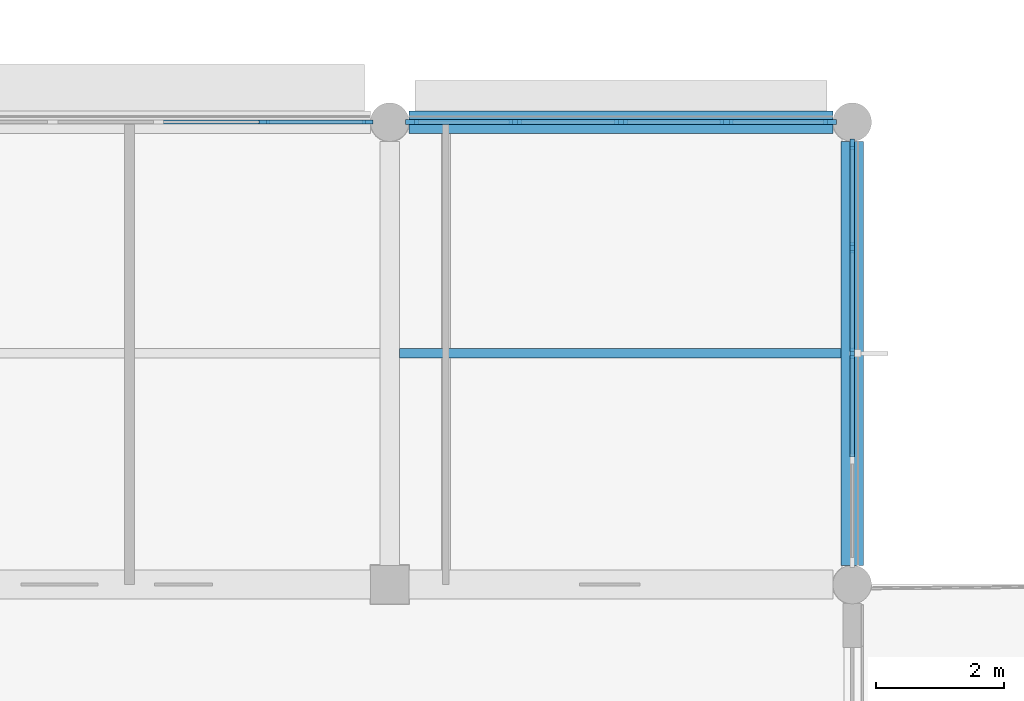
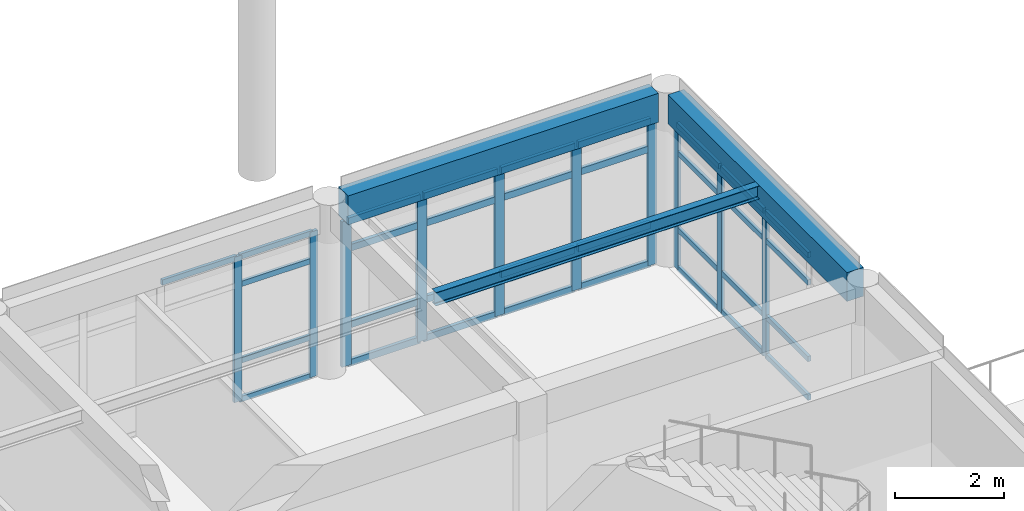
# One storey, part 12 of 41: 43 members, 3 beams, 3 elements without a shape of their own.
"""IFC4 building model written with IfcOpenShell, lengths in metres."""

from ifc_helpers import new_model, si_unit, direction, frame, origin, origin_2d, place, context, subcontext, project, spatial, rectangle, i_section, extrude, material, layer, layer_set, material_profile, profile_set, type_object, element, aggregate, save


model = new_model("IFC4")

# Units and contexts
model_context = context("Model", 3, precision=1e-05, world=origin(), true_north=direction((0.0, 1.0)))
body_context = subcontext(model_context, "Body", "Model", "MODEL_VIEW")
ifc_project = project(units=[si_unit("LENGTHUNIT", "METRE"), si_unit("AREAUNIT", "SQUARE_METRE"), si_unit("VOLUMEUNIT", "CUBIC_METRE"), si_unit("PLANEANGLEUNIT", "RADIAN"), si_unit("MASSUNIT", "GRAM", prefix="KILO")], contexts=[model_context])

# Site, building, storey
site_placement = place(None, origin())
site = spatial("IfcSite", under=ifc_project, at=site_placement, CompositionType="ELEMENT")
building_placement = place(site_placement, origin())
building = spatial("IfcBuilding", under=site, at=building_placement, Name="Namkhue Oval Health Centre", CompositionType="ELEMENT")
storey_placement = place(building_placement, frame((0.0, 0.0, 13.800048828125)))
storey = spatial("IfcBuildingStorey", under=building, at=storey_placement, Name="L03", CompositionType="ELEMENT", Elevation=13.800048828125)

# Curtain wall, members
ifc_material_1 = material(Name="Anodised aluminium EN AW-6063 T6", Category="aluminium")
ifc_layer_1 = layer(ifc_material_1, 0.159912109375)
ifc_layer_set_1 = layer_set([ifc_layer_1], Name="Anodised aluminium EN AW-6063 T6")
curtain_wall_type_1 = type_object("IfcCurtainWallType", Name="UNITISED CURTAIN WALL M1500", PredefinedType="NOTDEFINED", material=ifc_layer_set_1)
curtain_wall_1_placement = place(storey_placement, origin())
curtain_wall_1 = element("IfcCurtainWall", 1, at=curtain_wall_1_placement, inside=storey, type_object=curtain_wall_type_1, Name="Volume V3 L03 Unitised Curtain Wall 117", PredefinedType="NOTDEFINED")
ifc_material_profile_1 = material_profile(ifc_material_1, rectangle(XDim=0.06494140625, YDim=0.159912109375, at=origin_2d()), Name="ALU 65x160")
ifc_profile_set_1 = profile_set([ifc_material_profile_1], Name="Anodised aluminium EN AW-6063 T6")
member_type_1 = type_object("IfcMemberType", Name="CURTAIN WALL MULLION 65X160", PredefinedType="MULLION", material=ifc_profile_set_1)
member_1_placement = place(storey_placement, frame((122.39990234375, 100.800048828125, 0.0), z_axis=(0.0, 0.0, 1.0), x_axis=(-1.0, 0.0, 0.0)))
member_1 = element("IfcMember", 2, at=member_1_placement, type_object=member_type_1, Name="CW-03 mullion 3", PredefinedType="MULLION", context=body_context, shape_type="SweptSolid", body=[
    extrude(rectangle(XDim=0.06494140625, YDim=0.159912109375, at=origin_2d()), origin(), (0.0, 0.0, 1.0), 3.27001953125),
])
member_2_placement = place(storey_placement, frame((122.39990234375, 102.445068359375, 0.0), z_axis=(0.0, 0.0, 1.0), x_axis=(-1.0, 0.0, 0.0)))
member_2 = element("IfcMember", 3, at=member_2_placement, type_object=member_type_1, Name="CW-03 mullion 4", PredefinedType="MULLION", context=body_context, shape_type="SweptSolid", body=[
    extrude(rectangle(XDim=0.06494140625, YDim=0.159912109375, at=origin_2d()), origin(), (0.0, 0.0, 1.0), 3.27001953125),
])
member_3_placement = place(storey_placement, frame((122.39990234375, 104.0576171875, 0.0), z_axis=(0.0, 0.0, 1.0), x_axis=(-1.0, 0.0, 0.0)))
member_3 = element("IfcMember", 4, at=member_3_placement, type_object=member_type_1, Name="CW-03 mullion 5", PredefinedType="MULLION", context=body_context, shape_type="SweptSolid", body=[
    extrude(rectangle(XDim=0.06494140625, YDim=0.159912109375, at=origin_2d()), origin(), (0.0, 0.0, 1.0), 3.27001953125),
])

ifc_layer_2 = layer(ifc_material_1, 0.159912109375)
ifc_layer_set_2 = layer_set([ifc_layer_2], Name="Anodised aluminium EN AW-6063 T6")
curtain_wall_type_2 = type_object("IfcCurtainWallType", Name="UNITISED CURTAIN WALL M1800", PredefinedType="NOTDEFINED", material=ifc_layer_set_2)
curtain_wall_2_placement = place(storey_placement, origin())
curtain_wall_2 = element("IfcCurtainWall", 5, at=curtain_wall_2_placement, inside=storey, type_object=curtain_wall_type_2, Name="Volume V3 L03 Unitised Curtain Wall 119", PredefinedType="NOTDEFINED")
member_4_placement = place(storey_placement, frame((114.857421875, 104.39990234375, 0.0), z_axis=(0.0, 0.0, 1.0), x_axis=(0.0, -1.0, 0.0)))
member_4 = element("IfcMember", 6, at=member_4_placement, type_object=member_type_1, Name="CW-05 mullion 1", PredefinedType="MULLION", context=body_context, shape_type="SweptSolid", body=[
    extrude(rectangle(XDim=0.06494140625, YDim=0.159912109375, at=origin_2d()), origin(), (0.0, 0.0, 1.0), 3.27001953125),
])
member_5_placement = place(storey_placement, frame((113.2451171875, 104.39990234375, 0.0), z_axis=(0.0, 0.0, 1.0), x_axis=(0.0, -1.0, 0.0)))
member_5 = element("IfcMember", 7, at=member_5_placement, type_object=member_type_1, Name="CW-05 mullion 2", PredefinedType="MULLION", context=body_context, shape_type="SweptSolid", body=[
    extrude(rectangle(XDim=0.06494140625, YDim=0.159912109375, at=origin_2d()), origin(), (0.0, 0.0, 1.0), 3.27001953125),
])

ifc_layer_3 = layer(ifc_material_1, 0.159912109375)
ifc_layer_set_3 = layer_set([ifc_layer_3], Name="Anodised aluminium EN AW-6063 T6")
curtain_wall_type_3 = type_object("IfcCurtainWallType", Name="UNITISED CURTAIN WALL M1600", PredefinedType="NOTDEFINED", material=ifc_layer_set_3)
curtain_wall_3_placement = place(storey_placement, origin())
curtain_wall_3 = element("IfcCurtainWall", 8, at=curtain_wall_3_placement, inside=storey, type_object=curtain_wall_type_3, Name="Volume V3 L03 Unitised Curtain Wall 118", PredefinedType="NOTDEFINED")
ifc_material_profile_2 = material_profile(ifc_material_1, rectangle(XDim=0.074951171875, YDim=0.199951171875, at=origin_2d()), Name="ALU 75x200")
ifc_profile_set_2 = profile_set([ifc_material_profile_2], Name="Anodised aluminium EN AW-6063 T6")
member_type_2 = type_object("IfcMemberType", Name="CURTAIN WALL MULLION 75X200", PredefinedType="MULLION", material=ifc_profile_set_2)
member_6_placement = place(storey_placement, frame((122.052490234375, 104.39990234375, 0.0), z_axis=(0.0, 0.0, 1.0), x_axis=(0.0, -1.0, 0.0)))
member_6 = element("IfcMember", 9, at=member_6_placement, type_object=member_type_2, Name="CW-04 mullion 1", PredefinedType="MULLION", context=body_context, shape_type="SweptSolid", body=[
    extrude(rectangle(XDim=0.074951171875, YDim=0.199951171875, at=origin_2d()), origin(), (0.0, 0.0, 1.0), 3.27001953125),
])
member_7_placement = place(storey_placement, frame((120.445068359375, 104.39990234375, 0.0), z_axis=(0.0, 0.0, 1.0), x_axis=(0.0, -1.0, 0.0)))
member_7 = element("IfcMember", 10, at=member_7_placement, type_object=member_type_2, Name="CW-04 mullion 2", PredefinedType="MULLION", context=body_context, shape_type="SweptSolid", body=[
    extrude(rectangle(XDim=0.074951171875, YDim=0.199951171875, at=origin_2d()), origin(), (0.0, 0.0, 1.0), 3.27001953125),
])
member_8_placement = place(storey_placement, frame((118.800048828125, 104.39990234375, 0.0), z_axis=(0.0, 0.0, 1.0), x_axis=(0.0, -1.0, 0.0)))
member_8 = element("IfcMember", 11, at=member_8_placement, type_object=member_type_2, Name="CW-04 mullion 3", PredefinedType="MULLION", context=body_context, shape_type="SweptSolid", body=[
    extrude(rectangle(XDim=0.074951171875, YDim=0.199951171875, at=origin_2d()), origin(), (0.0, 0.0, 1.0), 3.27001953125),
])
member_9_placement = place(storey_placement, frame((117.155029296875, 104.39990234375, 0.0), z_axis=(0.0, 0.0, 1.0), x_axis=(0.0, -1.0, 0.0)))
member_9 = element("IfcMember", 12, at=member_9_placement, type_object=member_type_2, Name="CW-04 mullion 4", PredefinedType="MULLION", context=body_context, shape_type="SweptSolid", body=[
    extrude(rectangle(XDim=0.074951171875, YDim=0.199951171875, at=origin_2d()), origin(), (0.0, 0.0, 1.0), 3.27001953125),
])
member_10_placement = place(storey_placement, frame((115.547607421875, 104.39990234375, 0.0), z_axis=(0.0, 0.0, 1.0), x_axis=(0.0, -1.0, 0.0)))
member_10 = element("IfcMember", 13, at=member_10_placement, type_object=member_type_2, Name="CW-04 mullion 5", PredefinedType="MULLION", context=body_context, shape_type="SweptSolid", body=[
    extrude(rectangle(XDim=0.074951171875, YDim=0.199951171875, at=origin_2d()), origin(), (0.0, 0.0, 1.0), 3.27001953125),
])

# Member
ifc_material_profile_3 = material_profile(ifc_material_1, rectangle(XDim=0.06494140625, YDim=0.1201171875, at=origin_2d()), Name="ALU 65x120")
ifc_profile_set_3 = profile_set([ifc_material_profile_3], Name="Anodised aluminium EN AW-6063 T6")
member_type_3 = type_object("IfcMemberType", Name="CURTAIN WALL TRANSOM 65X120", PredefinedType="USERDEFINED", material=ifc_profile_set_3)
member_11_placement = place(storey_placement, frame((122.39990234375, 99.1875, 0.032470703125), z_axis=(0.0, 1.0, 0.0), x_axis=(-1.0, 0.0, 0.0)))
member_11 = element("IfcMember", 14, at=member_11_placement, type_object=member_type_3, Name="CW-03 transom 2.1", ObjectType="TRANSOM", PredefinedType="USERDEFINED", context=body_context, shape_type="SweptSolid", body=[
    extrude(rectangle(XDim=0.06494140625, YDim=0.1201171875, at=origin_2d()), origin(), (0.0, 0.0, 1.0), 1.580078125),
])

member_12_placement = place(storey_placement, frame((122.39990234375, 99.1875, 0.89990234375), z_axis=(0.0, 1.0, 0.0), x_axis=(-1.0, 0.0, 0.0)))
member_12 = element("IfcMember", 15, at=member_12_placement, type_object=member_type_3, Name="CW-03 transom 2.2", ObjectType="TRANSOM", PredefinedType="USERDEFINED", context=body_context, shape_type="SweptSolid", body=[
    extrude(rectangle(XDim=0.06494140625, YDim=0.1201171875, at=origin_2d()), origin(), (0.0, 0.0, 1.0), 1.580078125),
])

member_13_placement = place(storey_placement, frame((122.39990234375, 99.1875, 2.619873046875), z_axis=(0.0, 1.0, 0.0), x_axis=(-1.0, 0.0, 0.0)))
member_13 = element("IfcMember", 16, at=member_13_placement, type_object=member_type_3, Name="CW-03 transom 2.3", ObjectType="TRANSOM", PredefinedType="USERDEFINED", context=body_context, shape_type="SweptSolid", body=[
    extrude(rectangle(XDim=0.06494140625, YDim=0.1201171875, at=origin_2d()), origin(), (0.0, 0.0, 1.0), 1.580078125),
])

member_14_placement = place(storey_placement, frame((122.39990234375, 99.1875, 3.237548828125), z_axis=(0.0, 1.0, 0.0), x_axis=(-1.0, 0.0, 0.0)))
member_14 = element("IfcMember", 17, at=member_14_placement, type_object=member_type_3, Name="CW-03 transom 2.4", ObjectType="TRANSOM", PredefinedType="USERDEFINED", context=body_context, shape_type="SweptSolid", body=[
    extrude(rectangle(XDim=0.06494140625, YDim=0.1201171875, at=origin_2d()), origin(), (0.0, 0.0, 1.0), 1.580078125),
])

member_15_placement = place(storey_placement, frame((122.39990234375, 100.83251953125, 0.032470703125), z_axis=(0.0, 1.0, 0.0), x_axis=(-1.0, 0.0, 0.0)))
member_15 = element("IfcMember", 18, at=member_15_placement, type_object=member_type_3, Name="CW-03 transom 3.1", ObjectType="TRANSOM", PredefinedType="USERDEFINED", context=body_context, shape_type="SweptSolid", body=[
    extrude(rectangle(XDim=0.06494140625, YDim=0.1201171875, at=origin_2d()), origin(), (0.0, 0.0, 1.0), 1.580078125),
])

member_16_placement = place(storey_placement, frame((122.39990234375, 100.83251953125, 0.89990234375), z_axis=(0.0, 1.0, 0.0), x_axis=(-1.0, 0.0, 0.0)))
member_16 = element("IfcMember", 19, at=member_16_placement, type_object=member_type_3, Name="CW-03 transom 3.2", ObjectType="TRANSOM", PredefinedType="USERDEFINED", context=body_context, shape_type="SweptSolid", body=[
    extrude(rectangle(XDim=0.06494140625, YDim=0.1201171875, at=origin_2d()), origin(), (0.0, 0.0, 1.0), 1.580078125),
])

member_17_placement = place(storey_placement, frame((122.39990234375, 100.83251953125, 2.619873046875), z_axis=(0.0, 1.0, 0.0), x_axis=(-1.0, 0.0, 0.0)))
member_17 = element("IfcMember", 20, at=member_17_placement, type_object=member_type_3, Name="CW-03 transom 3.3", ObjectType="TRANSOM", PredefinedType="USERDEFINED", context=body_context, shape_type="SweptSolid", body=[
    extrude(rectangle(XDim=0.06494140625, YDim=0.1201171875, at=origin_2d()), origin(), (0.0, 0.0, 1.0), 1.580078125),
])

member_18_placement = place(storey_placement, frame((122.39990234375, 100.83251953125, 3.237548828125), z_axis=(0.0, 1.0, 0.0), x_axis=(-1.0, 0.0, 0.0)))
member_18 = element("IfcMember", 21, at=member_18_placement, type_object=member_type_3, Name="CW-03 transom 3.4", ObjectType="TRANSOM", PredefinedType="USERDEFINED", context=body_context, shape_type="SweptSolid", body=[
    extrude(rectangle(XDim=0.06494140625, YDim=0.1201171875, at=origin_2d()), origin(), (0.0, 0.0, 1.0), 1.580078125),
])

member_19_placement = place(storey_placement, frame((122.39990234375, 102.4775390625, 0.032470703125), z_axis=(0.0, 1.0, 0.0), x_axis=(-1.0, 0.0, 0.0)))
member_19 = element("IfcMember", 22, at=member_19_placement, type_object=member_type_3, Name="CW-03 transom 4.1", ObjectType="TRANSOM", PredefinedType="USERDEFINED", context=body_context, shape_type="SweptSolid", body=[
    extrude(rectangle(XDim=0.06494140625, YDim=0.1201171875, at=origin_2d()), origin(), (0.0, 0.0, 1.0), 1.54736328125),
])

member_20_placement = place(storey_placement, frame((122.39990234375, 102.4775390625, 0.89990234375), z_axis=(0.0, 1.0, 0.0), x_axis=(-1.0, 0.0, 0.0)))
member_20 = element("IfcMember", 23, at=member_20_placement, type_object=member_type_3, Name="CW-03 transom 4.2", ObjectType="TRANSOM", PredefinedType="USERDEFINED", context=body_context, shape_type="SweptSolid", body=[
    extrude(rectangle(XDim=0.06494140625, YDim=0.1201171875, at=origin_2d()), origin(), (0.0, 0.0, 1.0), 1.54736328125),
])

member_21_placement = place(storey_placement, frame((122.39990234375, 102.4775390625, 2.619873046875), z_axis=(0.0, 1.0, 0.0), x_axis=(-1.0, 0.0, 0.0)))
member_21 = element("IfcMember", 24, at=member_21_placement, type_object=member_type_3, Name="CW-03 transom 4.3", ObjectType="TRANSOM", PredefinedType="USERDEFINED", context=body_context, shape_type="SweptSolid", body=[
    extrude(rectangle(XDim=0.06494140625, YDim=0.1201171875, at=origin_2d()), origin(), (0.0, 0.0, 1.0), 1.54736328125),
])

member_22_placement = place(storey_placement, frame((122.39990234375, 102.4775390625, 3.237548828125), z_axis=(0.0, 1.0, 0.0), x_axis=(-1.0, 0.0, 0.0)))
member_22 = element("IfcMember", 25, at=member_22_placement, type_object=member_type_3, Name="CW-03 transom 4.4", ObjectType="TRANSOM", PredefinedType="USERDEFINED", context=body_context, shape_type="SweptSolid", body=[
    extrude(rectangle(XDim=0.06494140625, YDim=0.1201171875, at=origin_2d()), origin(), (0.0, 0.0, 1.0), 1.54736328125),
])

aggregate(curtain_wall_1, [member_1, member_2, member_3, member_11, member_12, member_13, member_14, member_15, member_16, member_17, member_18, member_19, member_20, member_21, member_22])

member_23_placement = place(storey_placement, frame((114.824951171875, 104.39990234375, 0.032470703125), z_axis=(-1.0, 0.0, 0.0), x_axis=(0.0, -1.0, 0.0)))
member_23 = element("IfcMember", 26, at=member_23_placement, type_object=member_type_3, Name="CW-05 transom 1.1", ObjectType="TRANSOM", PredefinedType="USERDEFINED", context=body_context, shape_type="SweptSolid", body=[
    extrude(rectangle(XDim=0.06494140625, YDim=0.1201171875, at=origin_2d()), origin(), (0.0, 0.0, 1.0), 1.54736328125),
])

member_24_placement = place(storey_placement, frame((114.824951171875, 104.39990234375, 0.89990234375), z_axis=(-1.0, 0.0, 0.0), x_axis=(0.0, -1.0, 0.0)))
member_24 = element("IfcMember", 27, at=member_24_placement, type_object=member_type_3, Name="CW-05 transom 1.2", ObjectType="TRANSOM", PredefinedType="USERDEFINED", context=body_context, shape_type="SweptSolid", body=[
    extrude(rectangle(XDim=0.06494140625, YDim=0.1201171875, at=origin_2d()), origin(), (0.0, 0.0, 1.0), 1.54736328125),
])

member_25_placement = place(storey_placement, frame((114.824951171875, 104.39990234375, 2.619873046875), z_axis=(-1.0, 0.0, 0.0), x_axis=(0.0, -1.0, 0.0)))
member_25 = element("IfcMember", 28, at=member_25_placement, type_object=member_type_3, Name="CW-05 transom 1.3", ObjectType="TRANSOM", PredefinedType="USERDEFINED", context=body_context, shape_type="SweptSolid", body=[
    extrude(rectangle(XDim=0.06494140625, YDim=0.1201171875, at=origin_2d()), origin(), (0.0, 0.0, 1.0), 1.54736328125),
])

member_26_placement = place(storey_placement, frame((114.824951171875, 104.39990234375, 3.237548828125), z_axis=(-1.0, 0.0, 0.0), x_axis=(0.0, -1.0, 0.0)))
member_26 = element("IfcMember", 29, at=member_26_placement, type_object=member_type_3, Name="CW-05 transom 1.4", ObjectType="TRANSOM", PredefinedType="USERDEFINED", context=body_context, shape_type="SweptSolid", body=[
    extrude(rectangle(XDim=0.06494140625, YDim=0.1201171875, at=origin_2d()), origin(), (0.0, 0.0, 1.0), 1.54736328125),
])

member_27_placement = place(storey_placement, frame((113.21240234375, 104.39990234375, 3.237548828125), z_axis=(-1.0, 0.0, 0.0), x_axis=(0.0, -1.0, 0.0)))
member_27 = element("IfcMember", 30, at=member_27_placement, type_object=member_type_3, Name="CW-05 transom 2.4", ObjectType="TRANSOM", PredefinedType="USERDEFINED", context=body_context, shape_type="SweptSolid", body=[
    extrude(rectangle(XDim=0.06494140625, YDim=0.1201171875, at=origin_2d()), origin(), (0.0, 0.0, 1.0), 1.579833984375),
])

aggregate(curtain_wall_2, [member_4, member_5, member_23, member_24, member_25, member_26, member_27])

ifc_material_profile_4 = material_profile(ifc_material_1, rectangle(XDim=0.074951171875, YDim=0.14990234375, at=origin_2d()), Name="ALU 75x150")
ifc_profile_set_4 = profile_set([ifc_material_profile_4], Name="Anodised aluminium EN AW-6063 T6")
member_type_4 = type_object("IfcMemberType", Name="CURTAIN WALL TRANSOM 75X150", PredefinedType="USERDEFINED", material=ifc_profile_set_4)
member_28_placement = place(storey_placement, frame((122.014892578125, 104.39990234375, 0.037353515625), z_axis=(-1.0, 0.0, 0.0), x_axis=(0.0, -1.0, 0.0)))
member_28 = element("IfcMember", 31, at=member_28_placement, type_object=member_type_4, Name="CW-04 transom 1.1", ObjectType="TRANSOM", PredefinedType="USERDEFINED", context=body_context, shape_type="SweptSolid", body=[
    extrude(rectangle(XDim=0.074951171875, YDim=0.14990234375, at=origin_2d()), origin(), (0.0, 0.0, 1.0), 1.532470703125),
])

member_29_placement = place(storey_placement, frame((122.014892578125, 104.39990234375, 0.89990234375), z_axis=(-1.0, 0.0, 0.0), x_axis=(0.0, -1.0, 0.0)))
member_29 = element("IfcMember", 32, at=member_29_placement, type_object=member_type_4, Name="CW-04 transom 1.2", ObjectType="TRANSOM", PredefinedType="USERDEFINED", context=body_context, shape_type="SweptSolid", body=[
    extrude(rectangle(XDim=0.074951171875, YDim=0.14990234375, at=origin_2d()), origin(), (0.0, 0.0, 1.0), 1.532470703125),
])

member_30_placement = place(storey_placement, frame((122.014892578125, 104.39990234375, 2.619873046875), z_axis=(-1.0, 0.0, 0.0), x_axis=(0.0, -1.0, 0.0)))
member_30 = element("IfcMember", 33, at=member_30_placement, type_object=member_type_4, Name="CW-04 transom 1.3", ObjectType="TRANSOM", PredefinedType="USERDEFINED", context=body_context, shape_type="SweptSolid", body=[
    extrude(rectangle(XDim=0.074951171875, YDim=0.14990234375, at=origin_2d()), origin(), (0.0, 0.0, 1.0), 1.532470703125),
])

member_31_placement = place(storey_placement, frame((122.014892578125, 104.39990234375, 3.232421875), z_axis=(-1.0, 0.0, 0.0), x_axis=(0.0, -1.0, 0.0)))
member_31 = element("IfcMember", 34, at=member_31_placement, type_object=member_type_4, Name="CW-04 transom 1.4", ObjectType="TRANSOM", PredefinedType="USERDEFINED", context=body_context, shape_type="SweptSolid", body=[
    extrude(rectangle(XDim=0.074951171875, YDim=0.14990234375, at=origin_2d()), origin(), (0.0, 0.0, 1.0), 1.532470703125),
])

member_32_placement = place(storey_placement, frame((120.407470703125, 104.39990234375, 0.037353515625), z_axis=(-1.0, 0.0, 0.0), x_axis=(0.0, -1.0, 0.0)))
member_32 = element("IfcMember", 35, at=member_32_placement, type_object=member_type_4, Name="CW-04 transom 2.1", ObjectType="TRANSOM", PredefinedType="USERDEFINED", context=body_context, shape_type="SweptSolid", body=[
    extrude(rectangle(XDim=0.074951171875, YDim=0.14990234375, at=origin_2d()), origin(), (0.0, 0.0, 1.0), 1.570068359375),
])

member_33_placement = place(storey_placement, frame((120.407470703125, 104.39990234375, 0.89990234375), z_axis=(-1.0, 0.0, 0.0), x_axis=(0.0, -1.0, 0.0)))
member_33 = element("IfcMember", 36, at=member_33_placement, type_object=member_type_4, Name="CW-04 transom 2.2", ObjectType="TRANSOM", PredefinedType="USERDEFINED", context=body_context, shape_type="SweptSolid", body=[
    extrude(rectangle(XDim=0.074951171875, YDim=0.14990234375, at=origin_2d()), origin(), (0.0, 0.0, 1.0), 1.570068359375),
])

member_34_placement = place(storey_placement, frame((120.407470703125, 104.39990234375, 2.619873046875), z_axis=(-1.0, 0.0, 0.0), x_axis=(0.0, -1.0, 0.0)))
member_34 = element("IfcMember", 37, at=member_34_placement, type_object=member_type_4, Name="CW-04 transom 2.3", ObjectType="TRANSOM", PredefinedType="USERDEFINED", context=body_context, shape_type="SweptSolid", body=[
    extrude(rectangle(XDim=0.074951171875, YDim=0.14990234375, at=origin_2d()), origin(), (0.0, 0.0, 1.0), 1.570068359375),
])

member_35_placement = place(storey_placement, frame((120.407470703125, 104.39990234375, 3.232421875), z_axis=(-1.0, 0.0, 0.0), x_axis=(0.0, -1.0, 0.0)))
member_35 = element("IfcMember", 38, at=member_35_placement, type_object=member_type_4, Name="CW-04 transom 2.4", ObjectType="TRANSOM", PredefinedType="USERDEFINED", context=body_context, shape_type="SweptSolid", body=[
    extrude(rectangle(XDim=0.074951171875, YDim=0.14990234375, at=origin_2d()), origin(), (0.0, 0.0, 1.0), 1.570068359375),
])

member_36_placement = place(storey_placement, frame((118.762451171875, 104.39990234375, 0.037353515625), z_axis=(-1.0, 0.0, 0.0), x_axis=(0.0, -1.0, 0.0)))
member_36 = element("IfcMember", 39, at=member_36_placement, type_object=member_type_4, Name="CW-04 transom 3.1", ObjectType="TRANSOM", PredefinedType="USERDEFINED", context=body_context, shape_type="SweptSolid", body=[
    extrude(rectangle(XDim=0.074951171875, YDim=0.14990234375, at=origin_2d()), origin(), (0.0, 0.0, 1.0), 1.570068359375),
])

member_37_placement = place(storey_placement, frame((118.762451171875, 104.39990234375, 0.89990234375), z_axis=(-1.0, 0.0, 0.0), x_axis=(0.0, -1.0, 0.0)))
member_37 = element("IfcMember", 40, at=member_37_placement, type_object=member_type_4, Name="CW-04 transom 3.2", ObjectType="TRANSOM", PredefinedType="USERDEFINED", context=body_context, shape_type="SweptSolid", body=[
    extrude(rectangle(XDim=0.074951171875, YDim=0.14990234375, at=origin_2d()), origin(), (0.0, 0.0, 1.0), 1.570068359375),
])

member_38_placement = place(storey_placement, frame((118.762451171875, 104.39990234375, 2.619873046875), z_axis=(-1.0, 0.0, 0.0), x_axis=(0.0, -1.0, 0.0)))
member_38 = element("IfcMember", 41, at=member_38_placement, type_object=member_type_4, Name="CW-04 transom 3.3", ObjectType="TRANSOM", PredefinedType="USERDEFINED", context=body_context, shape_type="SweptSolid", body=[
    extrude(rectangle(XDim=0.074951171875, YDim=0.14990234375, at=origin_2d()), origin(), (0.0, 0.0, 1.0), 1.570068359375),
])

member_39_placement = place(storey_placement, frame((118.762451171875, 104.39990234375, 3.232421875), z_axis=(-1.0, 0.0, 0.0), x_axis=(0.0, -1.0, 0.0)))
member_39 = element("IfcMember", 42, at=member_39_placement, type_object=member_type_4, Name="CW-04 transom 3.4", ObjectType="TRANSOM", PredefinedType="USERDEFINED", context=body_context, shape_type="SweptSolid", body=[
    extrude(rectangle(XDim=0.074951171875, YDim=0.14990234375, at=origin_2d()), origin(), (0.0, 0.0, 1.0), 1.570068359375),
])

member_40_placement = place(storey_placement, frame((117.117431640625, 104.39990234375, 0.037353515625), z_axis=(-1.0, 0.0, 0.0), x_axis=(0.0, -1.0, 0.0)))
member_40 = element("IfcMember", 43, at=member_40_placement, type_object=member_type_4, Name="CW-04 transom 4.1", ObjectType="TRANSOM", PredefinedType="USERDEFINED", context=body_context, shape_type="SweptSolid", body=[
    extrude(rectangle(XDim=0.074951171875, YDim=0.14990234375, at=origin_2d()), origin(), (0.0, 0.0, 1.0), 1.532470703125),
])

member_41_placement = place(storey_placement, frame((117.117431640625, 104.39990234375, 0.89990234375), z_axis=(-1.0, 0.0, 0.0), x_axis=(0.0, -1.0, 0.0)))
member_41 = element("IfcMember", 44, at=member_41_placement, type_object=member_type_4, Name="CW-04 transom 4.2", ObjectType="TRANSOM", PredefinedType="USERDEFINED", context=body_context, shape_type="SweptSolid", body=[
    extrude(rectangle(XDim=0.074951171875, YDim=0.14990234375, at=origin_2d()), origin(), (0.0, 0.0, 1.0), 1.532470703125),
])

member_42_placement = place(storey_placement, frame((117.117431640625, 104.39990234375, 2.619873046875), z_axis=(-1.0, 0.0, 0.0), x_axis=(0.0, -1.0, 0.0)))
member_42 = element("IfcMember", 45, at=member_42_placement, type_object=member_type_4, Name="CW-04 transom 4.3", ObjectType="TRANSOM", PredefinedType="USERDEFINED", context=body_context, shape_type="SweptSolid", body=[
    extrude(rectangle(XDim=0.074951171875, YDim=0.14990234375, at=origin_2d()), origin(), (0.0, 0.0, 1.0), 1.532470703125),
])

member_43_placement = place(storey_placement, frame((117.117431640625, 104.39990234375, 3.232421875), z_axis=(-1.0, 0.0, 0.0), x_axis=(0.0, -1.0, 0.0)))
member_43 = element("IfcMember", 46, at=member_43_placement, type_object=member_type_4, Name="CW-04 transom 4.4", ObjectType="TRANSOM", PredefinedType="USERDEFINED", context=body_context, shape_type="SweptSolid", body=[
    extrude(rectangle(XDim=0.074951171875, YDim=0.14990234375, at=origin_2d()), origin(), (0.0, 0.0, 1.0), 1.532470703125),
])

aggregate(curtain_wall_3, [member_6, member_7, member_8, member_9, member_10, member_28, member_29, member_30, member_31, member_32, member_33, member_34, member_35, member_36, member_37, member_38, member_39, member_40, member_41, member_42, member_43])

# Beams
ifc_material_2 = material(Name="Reinforced concrete C35/45 (TCVN B40)", Category="concrete")
ifc_material_profile_5 = material_profile(ifc_material_2, rectangle(XDim=0.35009765625, YDim=0.64990234375, at=origin_2d()), Name="RC 350x650")
ifc_profile_set_5 = profile_set([ifc_material_profile_5], Name="Reinforced concrete C35/45 (TCVN B40)")
beam_type_1 = type_object("IfcBeamType", Name="PERIMETER SPANDREL BEAM 350X650", PredefinedType="SPANDREL", material=ifc_profile_set_5)
for number, where, z_axis, x_axis, name in (
    (47, (115.5, 104.39990234375, 3.594970703125), (1.0, 0.0, 0.0), (0.0, 1.0, 0.0), "Volume V3 L04 Girder P/17-18"),
    (48, (122.39990234375, 97.5, 3.594970703125), (0.0, 1.0, 0.0), (-1.0, 0.0, 0.0), "Volume V3 L04 Beam 18/O-P"),
):
    element("IfcBeam", number, at=place(storey_placement, frame(where, z_axis=z_axis, x_axis=x_axis)), inside=storey, type_object=beam_type_1, Name=name, PredefinedType="SPANDREL", context=body_context, shape_type="SweptSolid", body=[
        extrude(rectangle(XDim=0.35009765625, YDim=0.64990234375, at=origin_2d()), origin(), (0.0, 0.0, 1.0), 6.60009765625),
    ])
ifc_material_3 = material(Name="Structural steel EN 10025-2 S355JR (TCVN 5575:2024)", Category="steel")
ifc_material_profile_6 = material_profile(ifc_material_3, i_section(OverallWidth=0.14990234375, OverallDepth=0.300048828125, WebThickness=0.007080078125, FlangeThickness=0.0107421875, FilletRadius=0.014892578125, at=origin_2d()), Name="IPE 300")
ifc_profile_set_6 = profile_set([ifc_material_profile_6], Name="Structural steel EN 10025-2 S355JR (TCVN 5575:2024)")
beam_type_2 = type_object("IfcBeamType", Name="SECONDARY JOIST STEEL IPE 300", PredefinedType="JOIST", material=ifc_profile_set_6)
beam_placement = place(storey_placement, frame((115.35009765625, 100.800048828125, 3.77001953125), z_axis=(1.0, 0.0, 0.0), x_axis=(0.0, 1.0, 0.0)))
element("IfcBeam", 49, at=beam_placement, inside=storey, type_object=beam_type_2, Name="Volume V3 L04 Secondary Joist 17-18", PredefinedType="JOIST", context=body_context, shape_type="SweptSolid", body=[
    extrude(i_section(OverallWidth=0.14990234375, OverallDepth=0.300048828125, WebThickness=0.007080078125, FlangeThickness=0.0107421875, FilletRadius=0.014892578125, at=origin_2d()), origin(), (0.0, 0.0, 1.0), 6.875),
])

save(model, "model.ifc")
